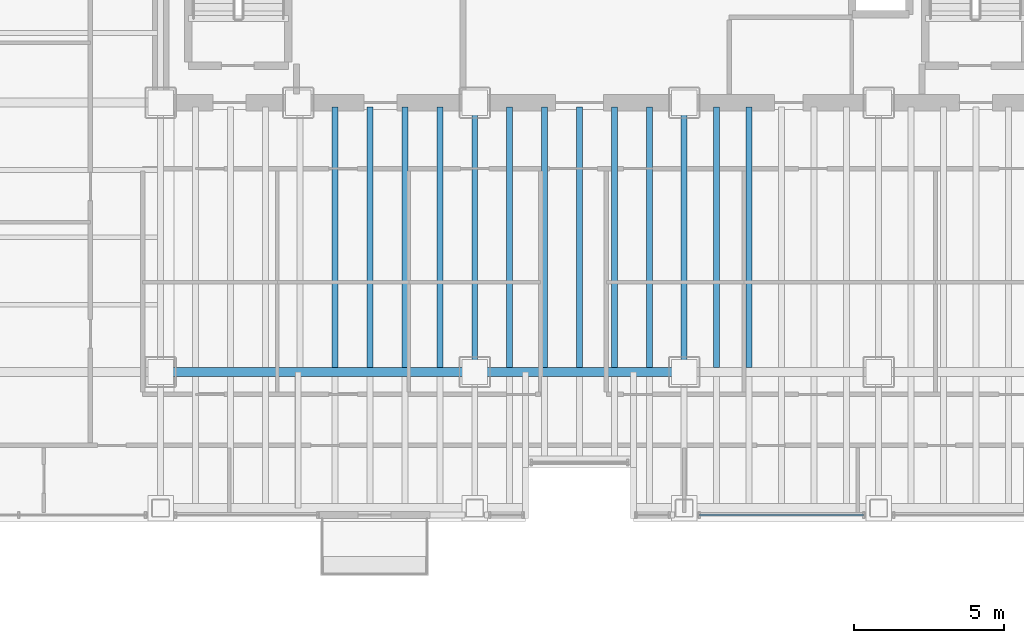
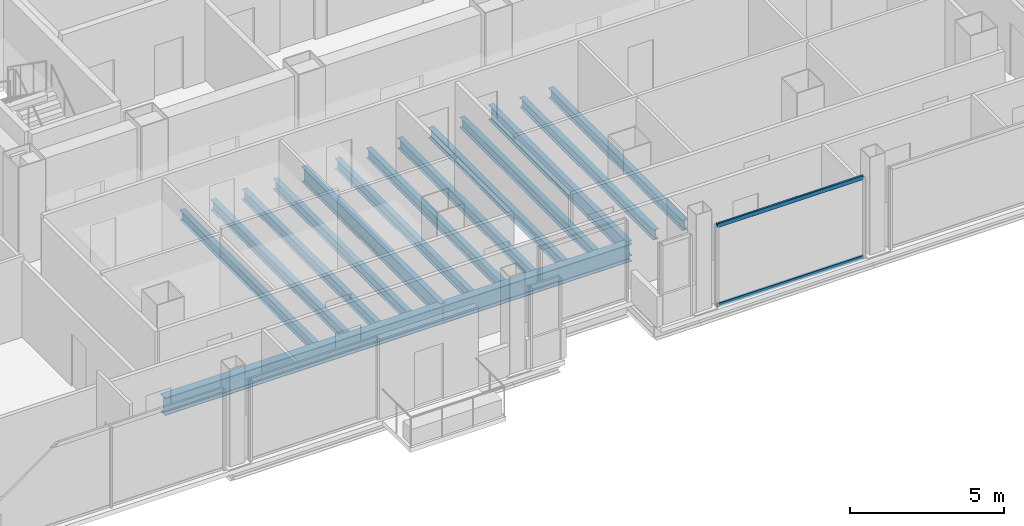
# One storey, part 7 of 30: 15 beams, 2 members, 1 element without a shape of its own.
"""IFC4 building model written with IfcOpenShell, lengths in metres."""

from ifc_helpers import new_model, si_unit, direction, frame, origin, origin_2d, place, context, subcontext, project, spatial, hollow_rectangle, i_section, extrude, material, material_profile, profile_set, type_object, element, aggregate, save


model = new_model("IFC4")

# Units and contexts
model_context = context("Model", 3, precision=1e-05, world=origin(), true_north=direction((0.0, 1.0)))
body_context = subcontext(model_context, "Body", "Model", "MODEL_VIEW")
ifc_project = project(units=[si_unit("LENGTHUNIT", "METRE"), si_unit("AREAUNIT", "SQUARE_METRE"), si_unit("VOLUMEUNIT", "CUBIC_METRE"), si_unit("PLANEANGLEUNIT", "RADIAN"), si_unit("MASSUNIT", "GRAM", prefix="KILO")], contexts=[model_context])

# Site, building, storey
site_placement = place(None, origin())
site = spatial("IfcSite", under=ifc_project, at=site_placement, CompositionType="ELEMENT")
building_placement = place(site_placement, origin())
building = spatial("IfcBuilding", under=site, at=building_placement, Name="Noeulbin Bourse Tower", CompositionType="ELEMENT")
storey_placement = place(building_placement, frame((0.0, 0.0, 26.5)))
storey = spatial("IfcBuildingStorey", under=building, at=storey_placement, Name="L06", CompositionType="ELEMENT", Elevation=26.5)

# Beams
ifc_material_1 = material(Name="Steel S355", Category="steel")
ifc_material_profile_1 = material_profile(ifc_material_1, i_section(OverallWidth=0.199951171875, OverallDepth=0.60009765625, WebThickness=0.010986328125, FlangeThickness=0.01708984375, FilletRadius=0.02197265625, at=origin_2d()), Name="H-600x200x11x17", Category="LoadBearing")
ifc_profile_set_1 = profile_set([ifc_material_profile_1], Name="Steel S355")
beam_type_1 = type_object("IfcBeamType", Name="BM-GRD-600", PredefinedType="USERDEFINED", material=ifc_profile_set_1)
for number, where, z_axis, x_axis, name in (
    (1, (24.0, 20.0, -0.47998046875), (0.0, 1.0, 0.0), (-1.0, 0.0, 0.0), "Tower Primary Girder NS L06-2.2"),
    (2, (31.0, 20.0, -0.47998046875), (0.0, 1.0, 0.0), (-1.0, 0.0, 0.0), "Tower Primary Girder NS L06-3.2"),
):
    element("IfcBeam", number, at=place(storey_placement, frame(where, z_axis=z_axis, x_axis=x_axis)), inside=storey, type_object=beam_type_1, Name=name, ObjectType="GIRDER", PredefinedType="USERDEFINED", context=body_context, shape_type="SweptSolid", body=[
        extrude(i_section(OverallWidth=0.199951171875, OverallDepth=0.60009765625, WebThickness=0.010986328125, FlangeThickness=0.01708984375, FilletRadius=0.02197265625, at=origin_2d()), origin(), (0.0, 0.0, 1.0), 9.0),
    ])
ifc_material_profile_2 = material_profile(ifc_material_1, i_section(OverallWidth=0.300048828125, OverallDepth=0.699951171875, WebThickness=0.012939453125, FlangeThickness=0.02392578125, FilletRadius=0.02392578125, at=origin_2d()), Name="H-700x300x13x24", Category="LoadBearing")
ifc_profile_set_2 = profile_set([ifc_material_profile_2], Name="Steel S355")
beam_type_2 = type_object("IfcBeamType", Name="BM-GRD-700", PredefinedType="USERDEFINED", material=ifc_profile_set_2)
beam_1_placement = place(storey_placement, frame((13.5, 20.0, -0.530029296875), z_axis=(1.0, 0.0, 0.0), x_axis=(0.0, 1.0, 0.0)))
element("IfcBeam", 3, at=beam_1_placement, inside=storey, type_object=beam_type_2, Name="Tower Primary Girder EW L06-1.2", ObjectType="GIRDER", PredefinedType="USERDEFINED", context=body_context, shape_type="SweptSolid", body=[
    extrude(i_section(OverallWidth=0.300048828125, OverallDepth=0.699951171875, WebThickness=0.012939453125, FlangeThickness=0.02392578125, FilletRadius=0.02392578125, at=origin_2d()), origin(), (0.0, 0.0, 1.0), 10.5),
])
beam_2_placement = place(storey_placement, frame((24.0, 20.0, -0.530029296875), z_axis=(1.0, 0.0, 0.0), x_axis=(0.0, 1.0, 0.0)))
element("IfcBeam", 4, at=beam_2_placement, inside=storey, type_object=beam_type_2, Name="Tower Primary Girder EW L06-1.3", ObjectType="GIRDER", PredefinedType="USERDEFINED", context=body_context, shape_type="SweptSolid", body=[
    extrude(i_section(OverallWidth=0.300048828125, OverallDepth=0.699951171875, WebThickness=0.012939453125, FlangeThickness=0.02392578125, FilletRadius=0.02392578125, at=origin_2d()), origin(), (0.0, 0.0, 1.0), 7.0),
])
ifc_material_profile_3 = material_profile(ifc_material_1, i_section(OverallWidth=0.199951171875, OverallDepth=0.39990234375, WebThickness=0.008056640625, FlangeThickness=0.012939453125, FilletRadius=0.01611328125, at=origin_2d()), Name="H-400x200x8x13", Category="LoadBearing")
ifc_profile_set_3 = profile_set([ifc_material_profile_3], Name="Steel S355")
beam_type_3 = type_object("IfcBeamType", Name="BM-SEC-400", PredefinedType="BEAM", material=ifc_profile_set_3)
for number, where, z_axis, x_axis, name in (
    (5, (19.333251953125, 20.14990234375, -0.3798828125), (0.0, 1.0, 0.0), (-1.0, 0.0, 0.0), "Tower Composite Joist L06-13"),
    (6, (20.5, 20.14990234375, -0.3798828125), (0.0, 1.0, 0.0), (-1.0, 0.0, 0.0), "Tower Composite Joist L06-16"),
    (7, (21.666748046875, 20.14990234375, -0.3798828125), (0.0, 1.0, 0.0), (-1.0, 0.0, 0.0), "Tower Composite Joist L06-19"),
    (8, (22.833251953125, 20.14990234375, -0.3798828125), (0.0, 1.0, 0.0), (-1.0, 0.0, 0.0), "Tower Composite Joist L06-22"),
    (9, (25.166748046875, 20.14990234375, -0.3798828125), (0.0, 1.0, 0.0), (-1.0, 0.0, 0.0), "Tower Composite Joist L06-25"),
    (10, (26.333251953125, 20.14990234375, -0.3798828125), (0.0, 1.0, 0.0), (-1.0, 0.0, 0.0), "Tower Composite Joist L06-28"),
    (11, (27.5, 20.14990234375, -0.3798828125), (0.0, 1.0, 0.0), (-1.0, 0.0, 0.0), "Tower Composite Joist L06-31"),
    (12, (28.666748046875, 20.14990234375, -0.3798828125), (0.0, 1.0, 0.0), (-1.0, 0.0, 0.0), "Tower Composite Joist L06-34"),
    (13, (29.833251953125, 20.14990234375, -0.3798828125), (0.0, 1.0, 0.0), (-1.0, 0.0, 0.0), "Tower Composite Joist L06-37"),
    (14, (32.083251953125, 20.14990234375, -0.3798828125), (0.0, 1.0, 0.0), (-1.0, 0.0, 0.0), "Tower Composite Joist L06-40"),
    (15, (33.166748046875, 20.14990234375, -0.3798828125), (0.0, 1.0, 0.0), (-1.0, 0.0, 0.0), "Tower Composite Joist L06-43"),
):
    element("IfcBeam", number, at=place(storey_placement, frame(where, z_axis=z_axis, x_axis=x_axis)), inside=storey, type_object=beam_type_3, Name=name, PredefinedType="BEAM", context=body_context, shape_type="SweptSolid", body=[
        extrude(i_section(OverallWidth=0.199951171875, OverallDepth=0.39990234375, WebThickness=0.008056640625, FlangeThickness=0.012939453125, FilletRadius=0.01611328125, at=origin_2d()), origin(), (0.0, 0.0, 1.0), 8.7001953125),
    ])

# Curtain wall, members
ifc_material_2 = material(Name="Dark Solar-Control Double Glazing", Category="glass")
curtain_wall_type = type_object("IfcCurtainWallType", Name="CW-SYS-2", PredefinedType="NOTDEFINED", material=ifc_material_2)
curtain_wall_placement = place(storey_placement, origin())
curtain_wall = element("IfcCurtainWall", 16, at=curtain_wall_placement, inside=storey, type_object=curtain_wall_type, Name="Unitised Curtain Wall CW-L06-S3-S2", PredefinedType="NOTDEFINED")
ifc_material_3 = material(Name="Anodised Aluminium 6063-T6", Category="aluminium")
ifc_material_profile_4 = material_profile(ifc_material_3, hollow_rectangle(XDim=0.074951171875, YDim=0.159912109375, WallThickness=0.0048828125, InnerFilletRadius=0.00244140625, OuterFilletRadius=0.0048828125, at=origin_2d()), Name="ALU-TRAN-75x160x5", Category="LoadBearing")
ifc_profile_set_4 = profile_set([ifc_material_profile_4], Name="Anodised Aluminium 6063-T6")
member_type = type_object("IfcMemberType", Name="CW-SYS-2-TRN", PredefinedType="USERDEFINED", material=ifc_profile_set_4)
member_1_placement = place(storey_placement, frame((31.510009765625, 15.219970703125, 0.010009765625), z_axis=(1.0, 0.0, 0.0), x_axis=(0.0, 1.0, 0.0)))
member_1 = element("IfcMember", 17, at=member_1_placement, type_object=member_type, Name="Curtain Wall Transom CW-L06-S3-S2-T00", ObjectType="TRANSOM", PredefinedType="USERDEFINED", context=body_context, shape_type="SweptSolid", body=[
    extrude(hollow_rectangle(XDim=0.074951171875, YDim=0.159912109375, WallThickness=0.0048828125, InnerFilletRadius=0.00244140625, OuterFilletRadius=0.0048828125, at=origin_2d()), origin(), (0.0, 0.0, 1.0), 5.47998046875),
])
member_2_placement = place(storey_placement, frame((31.510009765625, 15.219970703125, 3.169921875), z_axis=(1.0, 0.0, 0.0), x_axis=(0.0, 1.0, 0.0)))
member_2 = element("IfcMember", 18, at=member_2_placement, type_object=member_type, Name="Curtain Wall Transom CW-L06-S3-S2-T01", ObjectType="TRANSOM", PredefinedType="USERDEFINED", context=body_context, shape_type="SweptSolid", body=[
    extrude(hollow_rectangle(XDim=0.074951171875, YDim=0.159912109375, WallThickness=0.0048828125, InnerFilletRadius=0.00244140625, OuterFilletRadius=0.0048828125, at=origin_2d()), origin(), (0.0, 0.0, 1.0), 5.47998046875),
])
aggregate(curtain_wall, [member_1, member_2])

save(model, "model.ifc")
